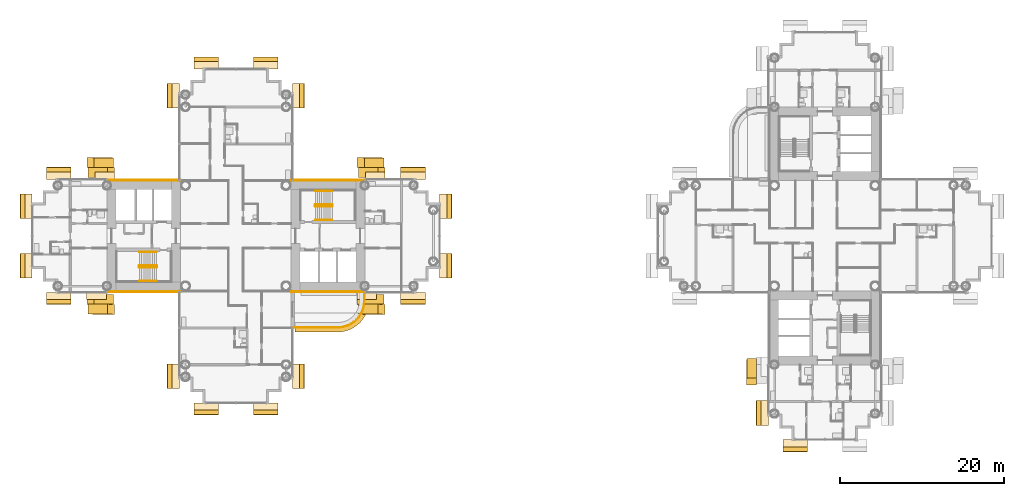
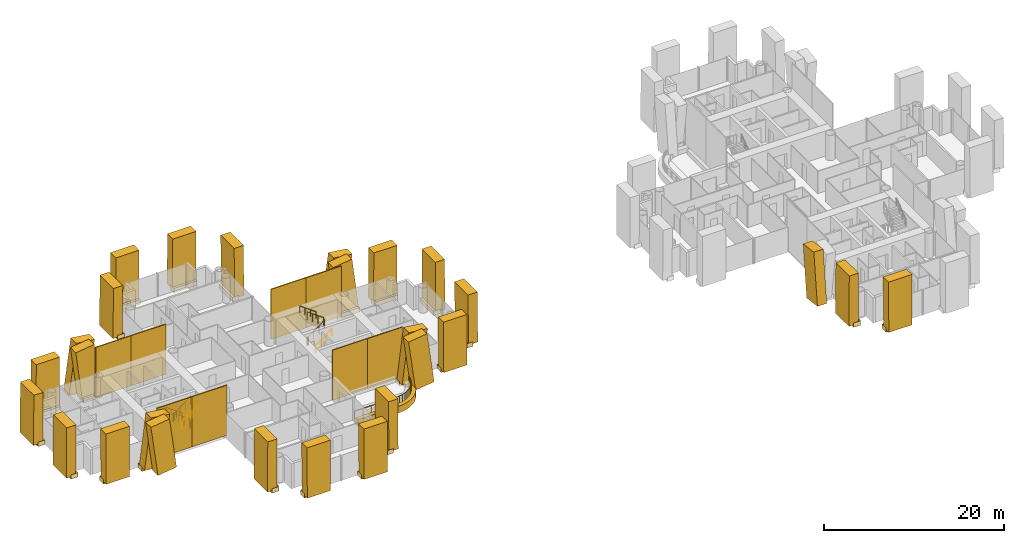
# One storey, part 21 of 23: 58 coverings, 7 railings.
"""IFC4 building model written with IfcOpenShell, lengths in metres."""

from ifc_helpers import new_model, si_unit, direction, frame, origin, origin_2d, place, context, subcontext, project, spatial, polyline, rectangle, circle, outline, extrude, material, layer, layer_set, material_profile, profile_set, type_object, element, save


model = new_model("IFC4")

# Units and contexts
model_context = context("Model", 3, precision=1e-05, world=origin(), true_north=direction((0.0, 1.0)))
body_context = subcontext(model_context, "Body", "Model", "MODEL_VIEW")
ifc_project = project(units=[si_unit("LENGTHUNIT", "METRE"), si_unit("AREAUNIT", "SQUARE_METRE"), si_unit("VOLUMEUNIT", "CUBIC_METRE"), si_unit("PLANEANGLEUNIT", "RADIAN"), si_unit("MASSUNIT", "GRAM", prefix="KILO")], contexts=[model_context])

# Site, building, storey
site_placement = place(None, origin())
site = spatial("IfcSite", under=ifc_project, at=site_placement, CompositionType="ELEMENT")
building_placement = place(site_placement, origin())
building = spatial("IfcBuilding", under=site, at=building_placement, Name="Ipe Terrace Towers", CompositionType="ELEMENT")
storey_placement = place(building_placement, frame((0.0, 0.0, 44.89990234375)))
storey = spatial("IfcBuildingStorey", under=building, at=storey_placement, Name="L11", CompositionType="ELEMENT", Elevation=44.89990234375)

# Railing
ifc_material_1 = material(Name="Stainless steel S316", Category="steel")
railing_type_1 = type_object("IfcRailingType", Name="GUARD 1100", PredefinedType="BALUSTRADE", material=ifc_material_1)
railing_1_placement = place(storey_placement, frame((-28.929931640625, -11.199951171875, -0.02001953125)))
element("IfcRailing", 1, at=railing_1_placement, inside=storey, type_object=railing_type_1, Name="guard", PredefinedType="BALUSTRADE", context=body_context, shape_type="SweptSolid", body=[
    extrude(circle(Radius=0.02392578125, at=origin_2d()), frame((0.0, 0.0, 1.076171875), z_axis=(1.0, 0.0, 0.0), x_axis=(0.0, 1.0, 0.0)), (0.0, 0.0, 1.0), 5.3779296875),
    extrude(circle(Radius=0.02392578125, at=origin_2d()), frame((5.3779296875, 0.0, 1.076171875), z_axis=(0.997872833927, 0.065190546171, 0.0), x_axis=(-0.065190546171, 0.997872833927, 0.0)), (0.0, 0.0, 1.0), 0.427001953125),
    extrude(circle(Radius=0.02392578125, at=origin_2d()), frame((5.803955078125, 0.02783203125, 1.076171875), z_axis=(0.980756958892, 0.195232649896, 0.0), x_axis=(-0.195232649896, 0.980756958892, 0.0)), (0.0, 0.0, 1.0), 0.42529296875),
    extrude(circle(Radius=0.02392578125, at=origin_2d()), frame((6.220947265625, 0.11083984375, 1.076171875), z_axis=(0.947355280148, 0.320184280026, 0.0), x_axis=(-0.320184280026, 0.947355280148, 0.0)), (0.0, 0.0, 1.0), 0.425537109375),
    extrude(circle(Radius=0.02392578125, at=origin_2d()), frame((6.6240234375, 0.2470703125, 1.076171875), z_axis=(0.895801099535, 0.444455160923, 0.0), x_axis=(-0.444455160923, 0.895801099535, 0.0)), (0.0, 0.0, 1.0), 0.425048828125),
    extrude(circle(Radius=0.02392578125, at=origin_2d()), frame((7.0048828125, 0.43603515625, 1.076171875), z_axis=(0.83151910003, 0.55549616226, 0.0), x_axis=(-0.55549616226, 0.83151910003, 0.0)), (0.0, 0.0, 1.0), 0.424560546875),
    extrude(circle(Radius=0.02392578125, at=origin_2d()), frame((7.35791015625, 0.671875, 1.076171875), z_axis=(0.752612255774, 0.658463964434, 0.0), x_axis=(-0.658463964434, 0.752612255774, 0.0)), (0.0, 0.0, 1.0), 0.42529296875),
    extrude(circle(Radius=0.02392578125, at=origin_2d()), frame((7.677978515625, 0.951904296875, 1.076171875), z_axis=(0.658463964434, 0.752612255774, 0.0), x_axis=(-0.752612255774, 0.658463964434, 0.0)), (0.0, 0.0, 1.0), 0.42529296875),
    extrude(circle(Radius=0.02392578125, at=origin_2d()), frame((7.9580078125, 1.27197265625, 1.076171875), z_axis=(0.55549616226, 0.83151910003, 0.0), x_axis=(-0.83151910003, 0.55549616226, 0.0)), (0.0, 0.0, 1.0), 0.424560546875),
    extrude(circle(Radius=0.02392578125, at=origin_2d()), frame((8.19384765625, 1.625, 1.076171875), z_axis=(0.444455160923, 0.895801099535, 0.0), x_axis=(-0.895801099535, 0.444455160923, 0.0)), (0.0, 0.0, 1.0), 0.425048828125),
    extrude(circle(Radius=0.02392578125, at=origin_2d()), frame((8.3828125, 2.005859375, 1.076171875), z_axis=(0.320184280026, 0.947355280148, 0.0), x_axis=(-0.947355280148, 0.320184280026, 0.0)), (0.0, 0.0, 1.0), 0.425537109375),
    extrude(circle(Radius=0.02392578125, at=origin_2d()), frame((8.51904296875, 2.408935546875, 1.076171875), z_axis=(0.195232649896, 0.980756958892, 0.0), x_axis=(-0.980756958892, 0.195232649896, 0.0)), (0.0, 0.0, 1.0), 0.42529296875),
    extrude(circle(Radius=0.02392578125, at=origin_2d()), frame((8.60205078125, 2.825927734375, 1.076171875), z_axis=(0.065190546171, 0.997872833927, 0.0), x_axis=(-0.997872833927, 0.065190546171, 0.0)), (0.0, 0.0, 1.0), 0.427001953125),
    extrude(circle(Radius=0.02392578125, at=origin_2d()), frame((8.6298828125, 3.251953125, 1.076171875), z_axis=(0.0, 1.0, 0.0), x_axis=(-1.0, 0.0, 0.0)), (0.0, 0.0, 1.0), 0.8779296875),
    extrude(circle(Radius=0.02099609375, at=origin_2d()), origin(), (0.0, 0.0, 1.0), 1.052001953125),
    extrude(circle(Radius=0.02099609375, at=origin_2d()), frame((1.07568359375, 0.0, 0.0)), (0.0, 0.0, 1.0), 1.052001953125),
    extrude(circle(Radius=0.02099609375, at=origin_2d()), frame((2.151123046875, 0.0, 0.0)), (0.0, 0.0, 1.0), 1.052001953125),
    extrude(circle(Radius=0.02099609375, at=origin_2d()), frame((3.226806640625, 0.0, 0.0)), (0.0, 0.0, 1.0), 1.052001953125),
    extrude(circle(Radius=0.02099609375, at=origin_2d()), frame((4.30224609375, 0.0, 0.0)), (0.0, 0.0, 1.0), 1.052001953125),
    extrude(circle(Radius=0.02099609375, at=origin_2d()), frame((5.3779296875, 0.0, 0.0)), (0.0, 0.0, 1.0), 1.052001953125),
    extrude(circle(Radius=0.02099609375, at=origin_2d()), frame((5.803955078125, 0.02783203125, 0.0)), (0.0, 0.0, 1.0), 1.052001953125),
    extrude(circle(Radius=0.02099609375, at=origin_2d()), frame((6.220947265625, 0.11083984375, 0.0)), (0.0, 0.0, 1.0), 1.052001953125),
    extrude(circle(Radius=0.02099609375, at=origin_2d()), frame((6.6240234375, 0.2470703125, 0.0)), (0.0, 0.0, 1.0), 1.052001953125),
    extrude(circle(Radius=0.02099609375, at=origin_2d()), frame((7.0048828125, 0.43603515625, 0.0)), (0.0, 0.0, 1.0), 1.052001953125),
    extrude(circle(Radius=0.02099609375, at=origin_2d()), frame((7.35791015625, 0.671875, 0.0)), (0.0, 0.0, 1.0), 1.052001953125),
    extrude(circle(Radius=0.02099609375, at=origin_2d()), frame((7.677978515625, 0.951904296875, 0.0)), (0.0, 0.0, 1.0), 1.052001953125),
    extrude(circle(Radius=0.02099609375, at=origin_2d()), frame((7.9580078125, 1.27197265625, 0.0)), (0.0, 0.0, 1.0), 1.052001953125),
    extrude(circle(Radius=0.02099609375, at=origin_2d()), frame((8.19384765625, 1.625, 0.0)), (0.0, 0.0, 1.0), 1.052001953125),
    extrude(circle(Radius=0.02099609375, at=origin_2d()), frame((8.3828125, 2.005859375, 0.0)), (0.0, 0.0, 1.0), 1.052001953125),
    extrude(circle(Radius=0.02099609375, at=origin_2d()), frame((8.51904296875, 2.408935546875, 0.0)), (0.0, 0.0, 1.0), 1.052001953125),
    extrude(circle(Radius=0.02099609375, at=origin_2d()), frame((8.60205078125, 2.825927734375, 0.0)), (0.0, 0.0, 1.0), 1.052001953125),
    extrude(circle(Radius=0.02099609375, at=origin_2d()), frame((8.6298828125, 3.251953125, 0.0)), (0.0, 0.0, 1.0), 1.052001953125),
    extrude(circle(Radius=0.02099609375, at=origin_2d()), frame((8.6298828125, 4.1298828125, 0.0)), (0.0, 0.0, 1.0), 1.052001953125),
])

# Coverings
ifc_material_2 = material(Name="Concrete C50/60 precast, buff finish", Category="concrete")
ifc_layer_1 = layer(ifc_material_2, 0.1201171875)
ifc_layer_set_1 = layer_set([ifc_layer_1], Name="STONE CORE CLADDING 120")
covering_type_1 = type_object("IfcCoveringType", Name="STONE CORE CLADDING 120", PredefinedType="CLADDING", material=ifc_layer_set_1)
covering_1_placement = place(storey_placement, frame((-49.5009765625, -6.81005859375, 0.0), z_axis=(0.0, 0.0, 1.0), x_axis=(1.0, 0.0, 0.0)))
element("IfcCovering", 2, at=covering_1_placement, inside=storey, type_object=covering_type_1, Name="stone core cladding", PredefinedType="CLADDING", context=body_context, shape_type="SweptSolid", body=[
    extrude(rectangle(XDim=4.5009765625, YDim=0.1201171875, at=origin_2d()), origin(), (0.0, 0.0, 1.0), 6.800048828125),
])
covering_2_placement = place(storey_placement, frame((-45.0, -6.81005859375, 0.0), z_axis=(0.0, 0.0, 1.0), x_axis=(1.0, 0.0, 0.0)))
element("IfcCovering", 3, at=covering_2_placement, inside=storey, type_object=covering_type_1, Name="stone core cladding", PredefinedType="CLADDING", context=body_context, shape_type="SweptSolid", body=[
    extrude(rectangle(XDim=4.5, YDim=0.1201171875, at=origin_2d()), origin(), (0.0, 0.0, 1.0), 6.800048828125),
])
covering_3_placement = place(storey_placement, frame((-49.5009765625, 6.81005859375, 0.0), z_axis=(0.0, 0.0, 1.0), x_axis=(-1.0, 0.0, 0.0)))
element("IfcCovering", 4, at=covering_3_placement, inside=storey, type_object=covering_type_1, Name="stone core cladding", PredefinedType="CLADDING", context=body_context, shape_type="SweptSolid", body=[
    extrude(rectangle(XDim=4.5009765625, YDim=0.1201171875, at=origin_2d()), origin(), (0.0, 0.0, 1.0), 6.800048828125),
])
for number, where, z_axis, x_axis, name in (
    (5, (-45.0, 6.81005859375, 0.0), (0.0, 0.0, 1.0), (-1.0, 0.0, 0.0), "stone core cladding"),
    (6, (-27.0, -6.81005859375, 0.0), (0.0, 0.0, 1.0), (1.0, 0.0, 0.0), "stone core cladding"),
):
    element("IfcCovering", number, at=place(storey_placement, frame(where, z_axis=z_axis, x_axis=x_axis)), inside=storey, type_object=covering_type_1, Name=name, PredefinedType="CLADDING", context=body_context, shape_type="SweptSolid", body=[
        extrude(rectangle(XDim=4.5, YDim=0.1201171875, at=origin_2d()), origin(), (0.0, 0.0, 1.0), 6.800048828125),
    ])
covering_4_placement = place(storey_placement, frame((-22.4990234375, -6.81005859375, 0.0), z_axis=(0.0, 0.0, 1.0), x_axis=(1.0, 0.0, 0.0)))
element("IfcCovering", 7, at=covering_4_placement, inside=storey, type_object=covering_type_1, Name="stone core cladding", PredefinedType="CLADDING", context=body_context, shape_type="SweptSolid", body=[
    extrude(rectangle(XDim=4.5009765625, YDim=0.1201171875, at=origin_2d()), origin(), (0.0, 0.0, 1.0), 6.800048828125),
])
covering_5_placement = place(storey_placement, frame((-27.0, 6.81005859375, 0.0), z_axis=(0.0, 0.0, 1.0), x_axis=(-1.0, 0.0, 0.0)))
element("IfcCovering", 8, at=covering_5_placement, inside=storey, type_object=covering_type_1, Name="stone core cladding", PredefinedType="CLADDING", context=body_context, shape_type="SweptSolid", body=[
    extrude(rectangle(XDim=4.5, YDim=0.1201171875, at=origin_2d()), origin(), (0.0, 0.0, 1.0), 6.800048828125),
])
covering_6_placement = place(storey_placement, frame((-22.4990234375, 6.81005859375, 0.0), z_axis=(0.0, 0.0, 1.0), x_axis=(-1.0, 0.0, 0.0)))
element("IfcCovering", 9, at=covering_6_placement, inside=storey, type_object=covering_type_1, Name="stone core cladding", PredefinedType="CLADDING", context=body_context, shape_type="SweptSolid", body=[
    extrude(rectangle(XDim=4.5009765625, YDim=0.1201171875, at=origin_2d()), origin(), (0.0, 0.0, 1.0), 6.800048828125),
])
ifc_material_3 = material(Name="Concrete C50/60 precast, buff finish", Category="concrete")
ifc_layer_2 = layer(ifc_material_3, 0.5)
ifc_layer_set_2 = layer_set([ifc_layer_2], Name="STONE EDGE BAND 500 x 900")
covering_type_2 = type_object("IfcCoveringType", Name="STONE EDGE BAND 500 x 900", PredefinedType="CLADDING", material=ifc_layer_set_2)
covering_7_placement = place(storey_placement, frame((0.0, 0.0, -0.719970703125)))
element("IfcCovering", 10, at=covering_7_placement, inside=storey, type_object=covering_type_2, Name="stone edge band", PredefinedType="CLADDING", context=body_context, shape_type="SweptSolid", body=[
    extrude(outline(polyline([(-23.550048828125, -11.75), (-23.51708984375, -11.7490234375), (-23.0869140625, -11.720947265625), (-23.02197265625, -11.7119140625), (-22.597900390625, -11.6279296875), (-22.534912109375, -11.611083984375), (-22.1259765625, -11.471923828125), (-22.06591796875, -11.447021484375), (-21.678955078125, -11.256103515625), (-21.6220703125, -11.22412109375), (-21.262939453125, -10.98388671875), (-21.2109375, -10.944091796875), (-20.886962890625, -10.658935546875), (-20.841064453125, -10.613037109375), (-20.555908203125, -10.2890625), (-20.51611328125, -10.237060546875), (-20.27587890625, -9.8779296875), (-20.243896484375, -9.821044921875), (-20.052978515625, -9.43408203125), (-20.028076171875, -9.3740234375), (-19.888916015625, -8.965087890625), (-19.8720703125, -8.902099609375), (-19.7880859375, -8.47802734375), (-19.779052734375, -8.4130859375), (-19.7509765625, -7.98291015625), (-19.75, -7.949951171875), (-19.75, -7.199951171875), (-20.25, -7.199951171875), (-20.25, -7.949951171875), (-20.278076171875, -8.381103515625), (-20.362060546875, -8.803955078125), (-20.5009765625, -9.212890625), (-20.69189453125, -9.60009765625), (-20.931884765625, -9.958984375), (-21.217041015625, -10.282958984375), (-21.541015625, -10.568115234375), (-21.89990234375, -10.80810546875), (-22.287109375, -10.9990234375), (-22.696044921875, -11.137939453125), (-23.118896484375, -11.221923828125), (-23.550048828125, -11.25), (-28.800048828125, -11.25), (-28.800048828125, -11.75), (-23.550048828125, -11.75)])), origin(), (0.0, 0.0, 1.0), 0.900146484375),
])
ifc_material_4 = material(Name="Concrete C50/60 precast, buff finish", Category="concrete")
ifc_material_profile_1 = material_profile(ifc_material_4, rectangle(XDim=2.39990234375, YDim=1.199951171875, at=origin_2d()), Name="STONE FIN 2400 x 1200")
ifc_profile_set_1 = profile_set([ifc_material_profile_1], Name="Concrete C50/60 precast, buff finish")
covering_type_3 = type_object("IfcCoveringType", Name="STONE FIN 2400 x 1200", PredefinedType="USERDEFINED", material=ifc_profile_set_1)
for number, where, z_axis, x_axis, name in (
    (11, (-18.9609375, -8.992919921875, 0.0), (-0.127760456296, 0.006836679936, 0.991781490861), (0.991805054336, 0.000880674426, 0.127757420941), "stone fin"),
    (12, (-18.9609375, 7.79296875, 0.0), (-0.127760456296, -0.006836679936, 0.991781490861), (-0.991805054336, 0.000880674426, -0.127757420941), "stone fin"),
    (13, (-19.989013671875, -7.79296875, 0.0), (0.127760456296, 0.006836679936, 0.991781490861), (0.991805054336, -0.000880674426, -0.127757420941), "stone fin"),
    (14, (-19.989013671875, 8.992919921875, 0.0), (0.127760456296, -0.006836679936, 0.991781490861), (-0.991805054336, -0.000880674426, 0.127757420941), "stone fin"),
    (15, (-52.010986328125, -8.992919921875, 0.0), (-0.127760456296, 0.006836679936, 0.991781490861), (0.991805054336, 0.000880674426, 0.127757420941), "stone fin"),
    (16, (-52.010986328125, 7.79296875, 0.0), (-0.127760456296, -0.006836679936, 0.991781490861), (-0.991805054336, 0.000880674426, -0.127757420941), "stone fin"),
    (17, (-53.0390625, -7.79296875, 0.0), (0.127760456296, 0.006836679936, 0.991781490861), (0.991805054336, -0.000880674426, -0.127757420941), "stone fin"),
    (18, (-53.0390625, 8.992919921875, 0.0), (0.127760456296, -0.006836679936, 0.991781490861), (-0.991805054336, -0.000880674426, 0.127757420941), "stone fin"),
    (19, (27.007080078125, -17.0390625, 0.0), (0.006836679936, 0.127760456296, 0.991781490861), (0.000880674426, -0.991805054336, 0.127757420941), "stone fin"),
):
    element("IfcCovering", number, at=place(storey_placement, frame(where, z_axis=z_axis, x_axis=x_axis)), inside=storey, type_object=covering_type_3, Name=name, ObjectType="FIN", PredefinedType="USERDEFINED", context=body_context, shape_type="SweptSolid", body=[
        extrude(rectangle(XDim=2.39990234375, YDim=1.199951171875, at=origin_2d()), origin(), (0.0, 0.0, 1.0), 6.8564453125),
    ])
ifc_material_5 = material(Name="Concrete C50/60 precast, buff finish", Category="concrete")
ifc_material_profile_2 = material_profile(ifc_material_5, rectangle(XDim=3.0, YDim=1.199951171875, at=origin_2d()), Name="STONE FIN CORNER 3000 x 1200")
ifc_profile_set_2 = profile_set([ifc_material_profile_2], Name="Concrete C50/60 precast, buff finish")
covering_type_4 = type_object("IfcCoveringType", Name="STONE FIN CORNER 3000 x 1200", PredefinedType="USERDEFINED", material=ifc_profile_set_2)
for number, where, z_axis, x_axis, name in (
    (20, (-10.20703125, -3.64990234375, 0.0), (-0.006893169082, 0.0, 0.999976241828), (0.0, 1.0, 0.0), "stone fin"),
    (21, (-10.20703125, 3.64990234375, 0.0), (-0.006893169082, 0.0, 0.999976241828), (0.0, 1.0, 0.0), "stone fin"),
    (22, (-14.35009765625, -7.79296875, 0.0), (0.0, 0.006893169082, 0.999976241828), (1.0, 0.0, 0.0), "stone fin"),
    (23, (-14.35009765625, 7.79296875, 0.0), (0.0, -0.006893169082, 0.999976241828), (-1.0, 0.0, 0.0), "stone fin"),
    (24, (-28.20703125, -17.14990234375, 0.0), (-0.006893169082, 0.0, 0.999976241828), (0.0, 1.0, 0.0), "stone fin"),
    (25, (-28.20703125, 17.14990234375, 0.0), (-0.006893169082, 0.0, 0.999976241828), (0.0, 1.0, 0.0), "stone fin"),
    (26, (-32.35009765625, -21.29296875, 0.0), (0.0, 0.006893169082, 0.999976241828), (1.0, 0.0, 0.0), "stone fin"),
    (27, (-32.35009765625, 21.29296875, 0.0), (0.0, -0.006893169082, 0.999976241828), (-1.0, 0.0, 0.0), "stone fin"),
    (28, (-39.64990234375, -21.29296875, 0.0), (0.0, 0.006893169082, 0.999976241828), (1.0, 0.0, 0.0), "stone fin"),
    (29, (-39.64990234375, 21.29296875, 0.0), (0.0, -0.006893169082, 0.999976241828), (-1.0, 0.0, 0.0), "stone fin"),
    (30, (-43.79296875, -17.14990234375, 0.0), (0.006893169082, 0.0, 0.999976241828), (0.0, -1.0, 0.0), "stone fin"),
    (31, (-43.79296875, 17.14990234375, 0.0), (0.006893169082, 0.0, 0.999976241828), (0.0, -1.0, 0.0), "stone fin"),
    (32, (-57.64990234375, -7.79296875, 0.0), (0.0, 0.006893169082, 0.999976241828), (1.0, 0.0, 0.0), "stone fin"),
    (33, (-57.64990234375, 7.79296875, 0.0), (0.0, -0.006893169082, 0.999976241828), (-1.0, 0.0, 0.0), "stone fin"),
    (34, (-61.79296875, -3.64990234375, 0.0), (0.006893169082, 0.0, 0.999976241828), (0.0, -1.0, 0.0), "stone fin"),
    (35, (-61.79296875, 3.64990234375, 0.0), (0.006893169082, 0.0, 0.999976241828), (0.0, -1.0, 0.0), "stone fin"),
    (36, (28.20703125, -21.64990234375, 0.0), (0.006893169082, 0.0, 0.999976241828), (0.0, -1.0, 0.0), "stone fin"),
    (37, (32.35009765625, -25.79296875, 0.0), (0.0, 0.006893169082, 0.999976241828), (1.0, 0.0, 0.0), "stone fin"),
):
    element("IfcCovering", number, at=place(storey_placement, frame(where, z_axis=z_axis, x_axis=x_axis)), inside=storey, type_object=covering_type_4, Name=name, ObjectType="FIN", PredefinedType="USERDEFINED", context=body_context, shape_type="SweptSolid", body=[
        extrude(rectangle(XDim=3.0, YDim=1.199951171875, at=origin_2d()), origin(), (0.0, 0.0, 1.0), 6.80029296875),
    ])
ifc_material_6 = material(Name="Concrete C50/60 precast, buff finish", Category="concrete")
covering_type_5 = type_object("IfcCoveringType", Name="STONE FIN SHELF 2400 x 600", PredefinedType="CLADDING", material=ifc_material_6)
for number, where, z_axis, x_axis, name in (
    (38, (-18.9609375, 7.35400390625, -0.349853515625), (0.0, 0.0, 1.0), (-1.0, 0.0, 0.0), "stone fin shelf"),
    (39, (-19.989013671875, -7.35400390625, -0.349853515625), (0.0, 0.0, 1.0), (1.0, 0.0, 0.0), "stone fin shelf"),
    (40, (-52.010986328125, 7.35400390625, -0.349853515625), (0.0, 0.0, 1.0), (-1.0, 0.0, 0.0), "stone fin shelf"),
    (41, (-53.0390625, -7.35400390625, -0.349853515625), (0.0, 0.0, 1.0), (1.0, 0.0, 0.0), "stone fin shelf"),
):
    element("IfcCovering", number, at=place(storey_placement, frame(where, z_axis=z_axis, x_axis=x_axis)), inside=storey, type_object=covering_type_5, Name=name, PredefinedType="CLADDING", context=body_context, shape_type="SweptSolid", body=[
        extrude(rectangle(XDim=2.39990234375, YDim=0.876953125, at=origin_2d()), origin(), (0.0, 0.0, 1.0), 0.60009765625),
    ])
ifc_material_7 = material(Name="Concrete C50/60 precast, buff finish", Category="concrete")
covering_type_6 = type_object("IfcCoveringType", Name="STONE FIN SHELF 3000 x 600", PredefinedType="CLADDING", material=ifc_material_7)
for number, where, z_axis, x_axis, name in (
    (42, (-10.64599609375, -3.64990234375, -0.349853515625), (0.0, 0.0, 1.0), (0.0, 1.0, 0.0), "stone fin shelf"),
    (43, (-10.64599609375, 3.64990234375, -0.349853515625), (0.0, 0.0, 1.0), (0.0, 1.0, 0.0), "stone fin shelf"),
    (44, (-14.35009765625, -7.35400390625, -0.349853515625), (0.0, 0.0, 1.0), (1.0, 0.0, 0.0), "stone fin shelf"),
    (45, (-14.35009765625, 7.35400390625, -0.349853515625), (0.0, 0.0, 1.0), (-1.0, 0.0, 0.0), "stone fin shelf"),
    (46, (-28.64599609375, -17.14990234375, -0.349853515625), (0.0, 0.0, 1.0), (0.0, 1.0, 0.0), "stone fin shelf"),
    (47, (-28.64599609375, 17.14990234375, -0.349853515625), (0.0, 0.0, 1.0), (0.0, 1.0, 0.0), "stone fin shelf"),
    (48, (-32.35009765625, -20.85400390625, -0.349853515625), (0.0, 0.0, 1.0), (1.0, 0.0, 0.0), "stone fin shelf"),
    (49, (-32.35009765625, 20.85400390625, -0.349853515625), (0.0, 0.0, 1.0), (-1.0, 0.0, 0.0), "stone fin shelf"),
    (50, (-39.64990234375, -20.85400390625, -0.349853515625), (0.0, 0.0, 1.0), (1.0, 0.0, 0.0), "stone fin shelf"),
    (51, (-39.64990234375, 20.85400390625, -0.349853515625), (0.0, 0.0, 1.0), (-1.0, 0.0, 0.0), "stone fin shelf"),
    (52, (-43.35498046875, -17.14990234375, -0.349853515625), (0.0, 0.0, 1.0), (0.0, -1.0, 0.0), "stone fin shelf"),
    (53, (-43.35498046875, 17.14990234375, -0.349853515625), (0.0, 0.0, 1.0), (0.0, -1.0, 0.0), "stone fin shelf"),
    (54, (-57.64990234375, -7.35400390625, -0.349853515625), (0.0, 0.0, 1.0), (1.0, 0.0, 0.0), "stone fin shelf"),
    (55, (-57.64990234375, 7.35400390625, -0.349853515625), (0.0, 0.0, 1.0), (-1.0, 0.0, 0.0), "stone fin shelf"),
    (56, (-61.35498046875, -3.64990234375, -0.349853515625), (0.0, 0.0, 1.0), (0.0, -1.0, 0.0), "stone fin shelf"),
    (57, (-61.35498046875, 3.64990234375, -0.349853515625), (0.0, 0.0, 1.0), (0.0, -1.0, 0.0), "stone fin shelf"),
    (58, (28.64599609375, -21.64990234375, -0.349853515625), (0.0, 0.0, 1.0), (0.0, -1.0, 0.0), "stone fin shelf"),
    (59, (32.35009765625, -25.35400390625, -0.349853515625), (0.0, 0.0, 1.0), (1.0, 0.0, 0.0), "stone fin shelf"),
):
    element("IfcCovering", number, at=place(storey_placement, frame(where, z_axis=z_axis, x_axis=x_axis)), inside=storey, type_object=covering_type_6, Name=name, PredefinedType="CLADDING", context=body_context, shape_type="SweptSolid", body=[
        extrude(rectangle(XDim=3.0, YDim=0.876953125, at=origin_2d()), origin(), (0.0, 0.0, 1.0), 0.60009765625),
    ])

# Railings
ifc_material_8 = material(Name="Steel S355", Category="steel")
railing_type_2 = type_object("IfcRailingType", Name="Stair guard 1100", PredefinedType="GUARDRAIL", material=ifc_material_8)
railing_2_placement = place(storey_placement, frame((-26.35009765625, 3.800048828125, 0.0)))
element("IfcRailing", 60, at=railing_2_placement, inside=storey, type_object=railing_type_2, Name="L11 T1-ST1 stair guard 1", PredefinedType="GUARDRAIL", context=body_context, shape_type="SweptSolid", body=[
    extrude(circle(Radius=0.02392578125, at=origin_2d()), frame((0.0, 0.0, 1.076171875), z_axis=(0.0, -1.0, 0.0), x_axis=(1.0, 0.0, 0.0)), (0.0, 0.0, 1.0), 0.150146484375),
    extrude(circle(Radius=0.02392578125, at=origin_2d()), frame((0.0, -0.150146484375, 1.076171875), z_axis=(0.248103849378, -0.246893586699, 0.936743314239), x_axis=(0.705375805398, 0.708833529934, 0.0)), (0.0, 0.0, 1.0), 0.20166015625),
    extrude(circle(Radius=0.02392578125, at=origin_2d()), frame((0.050048828125, -0.199951171875, 1.26513671875), z_axis=(0.809023421508, 0.0, 0.587776406001), x_axis=(0.0, 1.0, 0.0)), (0.0, 0.0, 1.0), 2.571044921875),
    extrude(circle(Radius=0.02392578125, at=origin_2d()), frame((2.130126953125, -0.199951171875, 2.7763671875), z_axis=(0.708833529934, 0.705375805398, 0.0), x_axis=(-0.705375805398, 0.708833529934, 0.0)), (0.0, 0.0, 1.0), 0.070556640625),
    extrude(circle(Radius=0.02392578125, at=origin_2d()), frame((2.18017578125, -0.150146484375, 2.7763671875), z_axis=(0.0, 1.0, 0.0), x_axis=(-1.0, 0.0, 0.0)), (0.0, 0.0, 1.0), 0.150146484375),
    extrude(circle(Radius=0.02392578125, at=origin_2d()), frame((2.18017578125, 0.0, 2.7763671875), z_axis=(-0.248310886586, 0.248310886586, 0.936313733321), x_axis=(-0.707106781187, -0.707106781187, 0.0)), (0.0, 0.0, 1.0), 0.20166015625),
    extrude(circle(Radius=0.02392578125, at=origin_2d()), frame((2.130126953125, 0.050048828125, 2.96484375), z_axis=(-0.809023421508, 0.0, 0.587776406001), x_axis=(0.0, -1.0, 0.0)), (0.0, 0.0, 1.0), 2.571044921875),
    extrude(circle(Radius=0.02099609375, at=origin_2d()), origin(), (0.0, 0.0, 1.0), 1.052001953125),
    extrude(circle(Radius=0.02099609375, at=origin_2d()), frame((0.0, -0.150146484375, 0.0)), (0.0, 0.0, 1.0), 1.052001953125),
    extrude(circle(Radius=0.02099609375, at=origin_2d()), frame((0.050048828125, -0.199951171875, 0.18896484375)), (0.0, 0.0, 1.0), 1.052001953125),
    extrude(circle(Radius=0.02099609375, at=origin_2d()), frame((0.743408203125, -0.199951171875, 0.692626953125)), (0.0, 0.0, 1.0), 1.052001953125),
    extrude(circle(Radius=0.02099609375, at=origin_2d()), frame((1.436767578125, -0.199951171875, 1.196533203125)), (0.0, 0.0, 1.0), 1.052001953125),
    extrude(circle(Radius=0.02099609375, at=origin_2d()), frame((2.130126953125, -0.199951171875, 1.7001953125)), (0.0, 0.0, 1.0), 1.052001953125),
    extrude(circle(Radius=0.02099609375, at=origin_2d()), frame((2.18017578125, -0.150146484375, 1.7001953125)), (0.0, 0.0, 1.0), 1.052001953125),
    extrude(circle(Radius=0.02099609375, at=origin_2d()), frame((2.18017578125, 0.0, 1.7001953125)), (0.0, 0.0, 1.0), 1.052001953125),
    extrude(circle(Radius=0.02099609375, at=origin_2d()), frame((2.130126953125, 0.050048828125, 1.888916015625)), (0.0, 0.0, 1.0), 1.052001953125),
    extrude(circle(Radius=0.02099609375, at=origin_2d()), frame((1.436767578125, 0.050048828125, 2.392578125)), (0.0, 0.0, 1.0), 1.052001953125),
    extrude(circle(Radius=0.02099609375, at=origin_2d()), frame((0.743408203125, 0.050048828125, 2.896484375)), (0.0, 0.0, 1.0), 1.052001953125),
    extrude(circle(Radius=0.02099609375, at=origin_2d()), frame((0.050048828125, 0.050048828125, 3.400146484375)), (0.0, 0.0, 1.0), 1.052001953125),
])
railing_3_placement = place(storey_placement, frame((-45.64990234375, -3.800048828125, 0.0)))
element("IfcRailing", 61, at=railing_3_placement, inside=storey, type_object=railing_type_2, Name="L11 T1-ST2 stair guard 1", PredefinedType="GUARDRAIL", context=body_context, shape_type="SweptSolid", body=[
    extrude(circle(Radius=0.02392578125, at=origin_2d()), frame((0.0, 0.0, 1.076171875), z_axis=(0.0, 1.0, 0.0), x_axis=(-1.0, 0.0, 0.0)), (0.0, 0.0, 1.0), 0.150146484375),
    extrude(circle(Radius=0.02392578125, at=origin_2d()), frame((0.0, 0.150146484375, 1.076171875), z_axis=(-0.248103849378, 0.246893586699, 0.936743314239), x_axis=(-0.705375805398, -0.708833529934, 0.0)), (0.0, 0.0, 1.0), 0.20166015625),
    extrude(circle(Radius=0.02392578125, at=origin_2d()), frame((-0.050048828125, 0.199951171875, 1.26513671875), z_axis=(-0.809023421508, 0.0, 0.587776406001), x_axis=(0.0, -1.0, 0.0)), (0.0, 0.0, 1.0), 2.571044921875),
    extrude(circle(Radius=0.02392578125, at=origin_2d()), frame((-2.130126953125, 0.199951171875, 2.7763671875), z_axis=(-0.708833529934, -0.705375805398, 0.0), x_axis=(0.705375805398, -0.708833529934, 0.0)), (0.0, 0.0, 1.0), 0.070556640625),
    extrude(circle(Radius=0.02392578125, at=origin_2d()), frame((-2.18017578125, 0.150146484375, 2.7763671875), z_axis=(0.0, -1.0, 0.0), x_axis=(1.0, 0.0, 0.0)), (0.0, 0.0, 1.0), 0.150146484375),
    extrude(circle(Radius=0.02392578125, at=origin_2d()), frame((-2.18017578125, 0.0, 2.7763671875), z_axis=(0.248310886586, -0.248310886586, 0.936313733321), x_axis=(0.707106781187, 0.707106781187, 0.0)), (0.0, 0.0, 1.0), 0.20166015625),
    extrude(circle(Radius=0.02392578125, at=origin_2d()), frame((-2.130126953125, -0.050048828125, 2.96484375), z_axis=(0.809023421508, 0.0, 0.587776406001), x_axis=(0.0, 1.0, 0.0)), (0.0, 0.0, 1.0), 2.571044921875),
    extrude(circle(Radius=0.02099609375, at=origin_2d()), origin(), (0.0, 0.0, 1.0), 1.052001953125),
    extrude(circle(Radius=0.02099609375, at=origin_2d()), frame((0.0, 0.150146484375, 0.0)), (0.0, 0.0, 1.0), 1.052001953125),
    extrude(circle(Radius=0.02099609375, at=origin_2d()), frame((-0.050048828125, 0.199951171875, 0.18896484375)), (0.0, 0.0, 1.0), 1.052001953125),
    extrude(circle(Radius=0.02099609375, at=origin_2d()), frame((-0.743408203125, 0.199951171875, 0.692626953125)), (0.0, 0.0, 1.0), 1.052001953125),
    extrude(circle(Radius=0.02099609375, at=origin_2d()), frame((-1.436767578125, 0.199951171875, 1.196533203125)), (0.0, 0.0, 1.0), 1.052001953125),
    extrude(circle(Radius=0.02099609375, at=origin_2d()), frame((-2.130126953125, 0.199951171875, 1.7001953125)), (0.0, 0.0, 1.0), 1.052001953125),
    extrude(circle(Radius=0.02099609375, at=origin_2d()), frame((-2.18017578125, 0.150146484375, 1.7001953125)), (0.0, 0.0, 1.0), 1.052001953125),
    extrude(circle(Radius=0.02099609375, at=origin_2d()), frame((-2.18017578125, 0.0, 1.7001953125)), (0.0, 0.0, 1.0), 1.052001953125),
    extrude(circle(Radius=0.02099609375, at=origin_2d()), frame((-2.130126953125, -0.050048828125, 1.888916015625)), (0.0, 0.0, 1.0), 1.052001953125),
    extrude(circle(Radius=0.02099609375, at=origin_2d()), frame((-1.436767578125, -0.050048828125, 2.392578125)), (0.0, 0.0, 1.0), 1.052001953125),
    extrude(circle(Radius=0.02099609375, at=origin_2d()), frame((-0.743408203125, -0.050048828125, 2.896484375)), (0.0, 0.0, 1.0), 1.052001953125),
    extrude(circle(Radius=0.02099609375, at=origin_2d()), frame((-0.050048828125, -0.050048828125, 3.400146484375)), (0.0, 0.0, 1.0), 1.052001953125),
])
ifc_material_9 = material(Name="Stainless steel grade 304", Category="steel")
railing_type_3 = type_object("IfcRailingType", Name="Stair handrail 900", PredefinedType="HANDRAIL", material=ifc_material_9)
railing_4_placement = place(storey_placement, frame((-26.300048828125, 1.949951171875, 0.18896484375)))
element("IfcRailing", 62, at=railing_4_placement, inside=storey, type_object=railing_type_3, Name="L11 T1-ST1 stair handrail 1", PredefinedType="HANDRAIL", context=body_context, shape_type="SweptSolid", body=[
    extrude(circle(Radius=0.02392578125, at=origin_2d()), frame((0.0, 0.0, 0.8759765625), z_axis=(0.809023421508, 0.0, 0.587776406001), x_axis=(0.0, 1.0, 0.0)), (0.0, 0.0, 1.0), 2.571044921875),
    extrude(circle(Radius=0.02099609375, at=origin_2d()), origin(), (0.0, 0.0, 1.0), 0.851806640625),
    extrude(circle(Radius=0.02099609375, at=origin_2d()), frame((0.693359375, 0.0, 0.503662109375)), (0.0, 0.0, 1.0), 0.851806640625),
    extrude(circle(Radius=0.02099609375, at=origin_2d()), frame((1.38671875, 0.0, 1.007568359375)), (0.0, 0.0, 1.0), 0.851806640625),
    extrude(circle(Radius=0.02099609375, at=origin_2d()), frame((2.080078125, 0.0, 1.51123046875)), (0.0, 0.0, 1.0), 0.851806640625),
])
for number, where, name in (
    (63, (-24.219970703125, 5.5, 1.888916015625), "L11 T1-ST1 stair handrail 2"),
    (64, (-45.699951171875, -1.949951171875, 0.18896484375), "L11 T1-ST2 stair handrail 1"),
):
    element("IfcRailing", number, at=place(storey_placement, frame(where)), inside=storey, type_object=railing_type_3, Name=name, PredefinedType="HANDRAIL", context=body_context, shape_type="SweptSolid", body=[
        extrude(circle(Radius=0.02392578125, at=origin_2d()), frame((0.0, 0.0, 0.8759765625), z_axis=(-0.809023421508, 0.0, 0.587776406001), x_axis=(0.0, -1.0, 0.0)), (0.0, 0.0, 1.0), 2.571044921875),
        extrude(circle(Radius=0.02099609375, at=origin_2d()), origin(), (0.0, 0.0, 1.0), 0.851806640625),
        extrude(circle(Radius=0.02099609375, at=origin_2d()), frame((-0.693359375, 0.0, 0.503662109375)), (0.0, 0.0, 1.0), 0.851806640625),
        extrude(circle(Radius=0.02099609375, at=origin_2d()), frame((-1.38671875, 0.0, 1.007568359375)), (0.0, 0.0, 1.0), 0.851806640625),
        extrude(circle(Radius=0.02099609375, at=origin_2d()), frame((-2.080078125, 0.0, 1.51123046875)), (0.0, 0.0, 1.0), 0.851806640625),
    ])
railing_5_placement = place(storey_placement, frame((-47.780029296875, -5.5, 1.888916015625)))
element("IfcRailing", 65, at=railing_5_placement, inside=storey, type_object=railing_type_3, Name="L11 T1-ST2 stair handrail 2", PredefinedType="HANDRAIL", context=body_context, shape_type="SweptSolid", body=[
    extrude(circle(Radius=0.02392578125, at=origin_2d()), frame((0.0, 0.0, 0.8759765625), z_axis=(0.809023421508, 0.0, 0.587776406001), x_axis=(0.0, 1.0, 0.0)), (0.0, 0.0, 1.0), 2.571044921875),
    extrude(circle(Radius=0.02099609375, at=origin_2d()), origin(), (0.0, 0.0, 1.0), 0.851806640625),
    extrude(circle(Radius=0.02099609375, at=origin_2d()), frame((0.693359375, 0.0, 0.503662109375)), (0.0, 0.0, 1.0), 0.851806640625),
    extrude(circle(Radius=0.02099609375, at=origin_2d()), frame((1.38671875, 0.0, 1.007568359375)), (0.0, 0.0, 1.0), 0.851806640625),
    extrude(circle(Radius=0.02099609375, at=origin_2d()), frame((2.080078125, 0.0, 1.51123046875)), (0.0, 0.0, 1.0), 0.851806640625),
])

save(model, "model.ifc")
